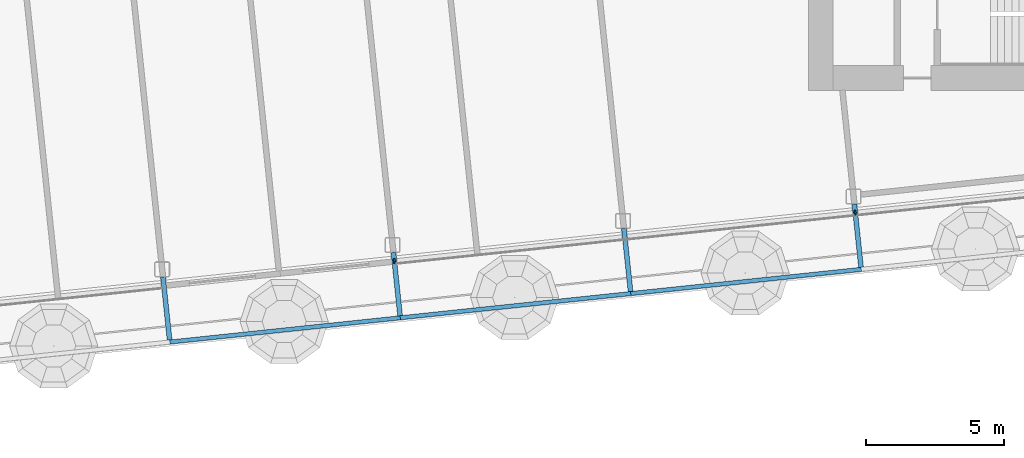
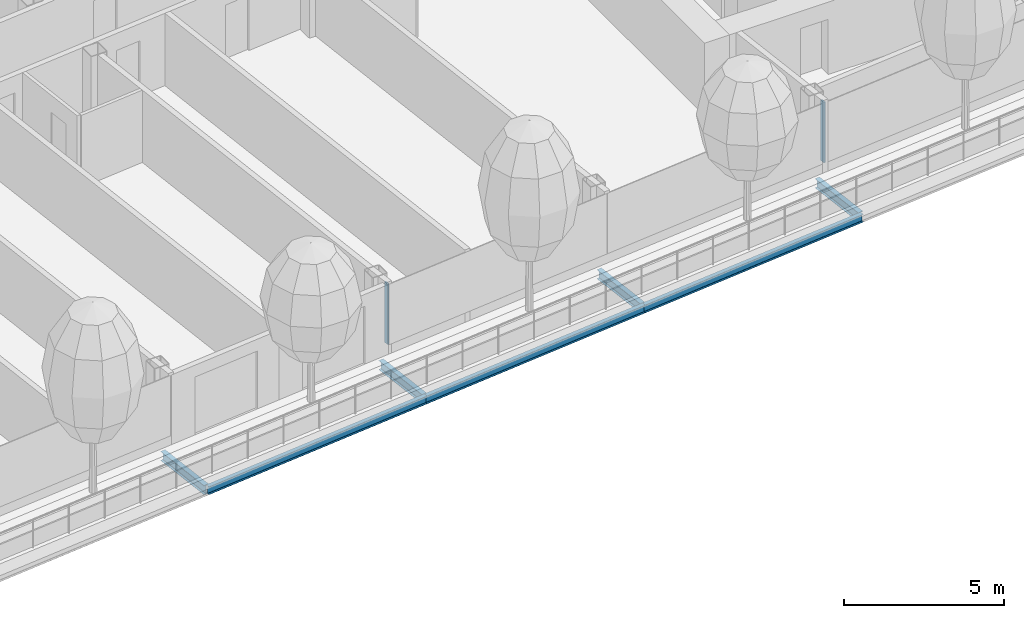
# One storey, part 5 of 29: 7 beams, 2 members, 1 element without a shape of its own.
"""IFC4 building model written with IfcOpenShell, lengths in metres."""

import ifcopenshell
import ifcopenshell.guid

model = None  # the IFC model being written
_history = None  # IfcOwnerHistory: only IFC2X3 demands one
_inside = {}  # id of a spatial element -> (the spatial element, [elements in it])
_under = {}  # id of a project, library or spatial element -> (it, [spatial elements below it])
_declared = {}  # id of a project -> (the project, [libraries it declares])
_typed = {}  # id of a type object -> (the type object, [elements of that type])
_made_of = {}  # id of a material, layer set ... -> (it, [elements and type objects made of it])


def new_model(schema):
    """Start an empty IFC model of exactly this schema.

    Asked for "IFC4X3", IfcOpenShell would pick the latest addendum, in which some entities
    have other attributes; the version numbers below select the first issue.
    IFC2X3 requires an IfcOwnerHistory on every rooted entity: one is made here for all.
    """
    global model, _history
    if schema == "IFC4X3":
        model = ifcopenshell.file(schema_version=(4, 3, 0, 0))
    else:
        model = ifcopenshell.file(schema=schema)
    _inside.clear()
    _under.clear()
    _declared.clear()
    _typed.clear()
    _made_of.clear()
    _history = None
    if model.schema == "IFC2X3":
        org = make("IfcOrganization", Name="unknown")
        user = make(
            "IfcPersonAndOrganization",
            ThePerson=make("IfcPerson", FamilyName="unknown"),
            TheOrganization=org,
        )
        app = make(
            "IfcApplication",
            ApplicationDeveloper=org,
            Version="unknown",
            ApplicationFullName="unknown",
            ApplicationIdentifier="unknown",
        )
        _history = make(
            "IfcOwnerHistory",
            OwningUser=user,
            OwningApplication=app,
            ChangeAction="ADDED",
            CreationDate=0,
        )
    return model


def make(cls, **values):
    """One entity of the class cls with the attributes given. An attribute that is None is left unset."""
    return model.create_entity(
        cls, **{name: value for name, value in values.items() if value is not None}
    )


def rooted(cls, **values):
    """An entity with a GlobalId (a new one), such as an element, a storey or a relation."""
    return make(cls, GlobalId=ifcopenshell.guid.new(), OwnerHistory=_history, **values)


def si_unit(unit_type, name, prefix=None):
    """IfcSIUnit, for example si_unit("LENGTHUNIT", "METRE", prefix="MILLI")."""
    return make("IfcSIUnit", UnitType=unit_type, Prefix=prefix, Name=name)


def assignment(units):
    """IfcUnitAssignment: the units of a project."""
    return None if units is None else make("IfcUnitAssignment", Units=units)


def point(xyz):
    """IfcCartesianPoint."""
    return None if xyz is None else make("IfcCartesianPoint", Coordinates=xyz)


def direction(xyz):
    """IfcDirection."""
    return None if xyz is None else make("IfcDirection", DirectionRatios=xyz)


def frame(location, z_axis=None, x_axis=None):
    """IfcAxis2Placement3D, a coordinate frame: its origin and axes. An axis left out is left unset."""
    return make(
        "IfcAxis2Placement3D",
        Location=point(location),
        Axis=direction(z_axis),
        RefDirection=direction(x_axis),
    )


def frame_2d(location, x_axis=None):
    """IfcAxis2Placement2D, a coordinate frame in the plane: its origin and x axis."""
    return make(
        "IfcAxis2Placement2D", Location=point(location), RefDirection=direction(x_axis)
    )


def origin():
    """The frame at (0, 0, 0) with its axes left unset."""
    return frame((0.0, 0.0, 0.0))


def origin_2d():
    """The frame at (0, 0) in the plane with its x axis left unset."""
    return frame_2d((0.0, 0.0))


def place(relative_to, where):
    """IfcLocalPlacement: puts the frame where relative to a parent placement (None: the world)."""
    return make(
        "IfcLocalPlacement", PlacementRelTo=relative_to, RelativePlacement=where
    )


def context(
    kind, dimensions, precision=None, world=None, true_north=None, identifier=None
):
    """IfcGeometricRepresentationContext, for example the 3D "Model" context."""
    return make(
        "IfcGeometricRepresentationContext",
        ContextIdentifier=identifier,
        ContextType=kind,
        CoordinateSpaceDimension=dimensions,
        Precision=precision,
        WorldCoordinateSystem=world,
        TrueNorth=true_north,
    )


def subcontext(parent, identifier, kind, view, scale=None):
    """IfcGeometricRepresentationSubContext, for example "Body" below "Model"."""
    return make(
        "IfcGeometricRepresentationSubContext",
        ContextIdentifier=identifier,
        ContextType=kind,
        ParentContext=parent,
        TargetScale=scale,
        TargetView=view,
    )


def project(units=None, contexts=None):
    """IfcProject with its units and contexts."""
    return rooted(
        "IfcProject",
        Name="project",
        RepresentationContexts=contexts,
        UnitsInContext=assignment(units),
    )


def spatial(cls, under=None, at=None, **own):
    """A site, building, storey or space (cls), placed at a placement, below another one or the project."""
    s = rooted(cls, ObjectPlacement=at, **own)
    if under is not None:
        _under.setdefault(under.id(), (under, []))[1].append(s)
    return s


def profile(cls, at=None, kind="AREA", **sizes):
    """A parametric profile (cls). Its sizes go by their IFC names, for example OverallWidth=200.0."""
    return make(cls, ProfileType=kind, Position=at, **sizes)


def rectangle(**sizes):
    """IfcRectangleProfileDef."""
    return profile("IfcRectangleProfileDef", **sizes)


def i_section(**sizes):
    """IfcIShapeProfileDef."""
    return profile("IfcIShapeProfileDef", **sizes)


def extrude(swept, where, along, depth):
    """IfcExtrudedAreaSolid: the profile swept, set in the frame where, extruded along a direction by depth."""
    return make(
        "IfcExtrudedAreaSolid",
        SweptArea=swept,
        Position=where,
        ExtrudedDirection=direction(along),
        Depth=depth,
    )


def shape(context_of_items, identifier, shape_type, items):
    """IfcShapeRepresentation: the items that make up one representation, for example the "Body"."""
    return make(
        "IfcShapeRepresentation",
        ContextOfItems=context_of_items,
        RepresentationIdentifier=identifier,
        RepresentationType=shape_type,
        Items=items,
    )


def material(Name=None, Category=None):
    """IfcMaterial."""
    return make("IfcMaterial", Name=Name, Category=Category)


def layer(
    of_material, thickness, ventilated=None, Name=None, Category=None, Priority=None
):
    """IfcMaterialLayer: one layer of a wall or slab, of a material (None: an air gap)."""
    return make(
        "IfcMaterialLayer",
        Material=of_material,
        LayerThickness=thickness,
        IsVentilated=ventilated,
        Name=Name,
        Category=Category,
        Priority=Priority,
    )


def layer_set(layers, Name=None):
    """IfcMaterialLayerSet."""
    return make("IfcMaterialLayerSet", MaterialLayers=layers, LayerSetName=Name)


def material_profile(
    of_material, cross_section, Name=None, Category=None, Priority=None
):
    """IfcMaterialProfile: a cross section and its material."""
    return make(
        "IfcMaterialProfile",
        Name=Name,
        Material=of_material,
        Profile=cross_section,
        Priority=Priority,
        Category=Category,
    )


def profile_set(profiles, Name=None, composite=None):
    """IfcMaterialProfileSet."""
    return make(
        "IfcMaterialProfileSet",
        Name=Name,
        MaterialProfiles=profiles,
        CompositeProfile=composite,
    )


def made_of(thing, what):
    """Note that an element or type object is made of a material, layer set ...; save() writes the relation."""
    if what is not None:
        _made_of.setdefault(what.id(), (what, []))[1].append(thing)
    return thing


def type_object(cls, material=None, **own):
    """A type object (cls), such as IfcWallType, which elements share."""
    return made_of(rooted(cls, **own), material)


def element(
    cls,
    number,
    at=None,
    inside=None,
    cuts=None,
    type_object=None,
    material=None,
    context=None,
    identifier="Body",
    shape_type=None,
    held_by="IfcProductDefinitionShape",
    body=None,
    shapes=None,
    **own,
):
    """One element of the class cls, such as IfcWall. Its Tag is "e" and its number.

    at: its placement. inside: the storey or other place that contains it. cuts: it is an
    opening in that element (IfcRelVoidsElement). A single representation is given by context,
    identifier, shape_type and body (its items); several are given by shapes. held_by: the class
    of the entity that holds the representations. save() writes the other relations.
    """
    e = rooted(cls, Tag="e%d" % number, ObjectPlacement=at, **own)
    if body is not None:
        shapes = [shape(context, identifier, shape_type, body)]
    if shapes is not None:
        e.Representation = make(held_by, Representations=shapes)
    if inside is not None:
        _inside.setdefault(inside.id(), (inside, []))[1].append(e)
    if cuts is not None:
        rooted(
            "IfcRelVoidsElement", RelatingBuildingElement=cuts, RelatedOpeningElement=e
        )
    if type_object is not None:
        _typed.setdefault(type_object.id(), (type_object, []))[1].append(e)
    return made_of(e, material)


def aggregate(whole, parts):
    """IfcRelAggregates: a whole, such as a stair, and the parts it consists of."""
    return rooted("IfcRelAggregates", RelatingObject=whole, RelatedObjects=parts)


def save(model, path):
    """Write the relations noted so far, then the file.

    IfcRelAggregates (storeys below a building ...), IfcRelContainedInSpatialStructure (elements
    in a storey), IfcRelDefinesByType, IfcRelAssociatesMaterial and IfcRelDeclares: one each for
    every whole, place, type object, material and project.
    """
    for whole, parts in _under.values():
        aggregate(whole, parts)
    for where, things in _inside.values():
        rooted(
            "IfcRelContainedInSpatialStructure",
            RelatedElements=things,
            RelatingStructure=where,
        )
    for kind, things in _typed.values():
        rooted("IfcRelDefinesByType", RelatedObjects=things, RelatingType=kind)
    for what, things in _made_of.values():
        rooted("IfcRelAssociatesMaterial", RelatedObjects=things, RelatingMaterial=what)
    for by, libraries in _declared.values():
        rooted("IfcRelDeclares", RelatingContext=by, RelatedDefinitions=libraries)
    model.write(path)


model = new_model("IFC4")

# Units and contexts
model_context = context("Model", 3, precision=1e-05, world=origin(), true_north=direction((0.0, 1.0)))
body_context = subcontext(model_context, "Body", "Model", "MODEL_VIEW")
ifc_project = project(units=[si_unit("LENGTHUNIT", "METRE"), si_unit("AREAUNIT", "SQUARE_METRE"), si_unit("VOLUMEUNIT", "CUBIC_METRE"), si_unit("PLANEANGLEUNIT", "RADIAN"), si_unit("MASSUNIT", "GRAM", prefix="KILO")], contexts=[model_context])

# Site, building, storey
site_placement = place(None, origin())
site = spatial("IfcSite", under=ifc_project, at=site_placement, CompositionType="ELEMENT")
building_placement = place(site_placement, origin())
building = spatial("IfcBuilding", under=site, at=building_placement, Name="Hakoniwa Tower and Hamabe Station Hall", CompositionType="ELEMENT")
storey_placement = place(building_placement, frame((0.0, 0.0, 258.199951171875)))
storey = spatial("IfcBuildingStorey", under=building, at=storey_placement, Name="L73", CompositionType="ELEMENT", Elevation=258.199951171875)

# Beams
ifc_material_1 = material(Name="Steel SN490B", Category="steel")
ifc_material_profile_1 = material_profile(ifc_material_1, i_section(OverallWidth=0.175048828125, OverallDepth=0.35009765625, WebThickness=0.007080078125, FlangeThickness=0.010986328125, FilletRadius=0.013916015625, at=origin_2d()), Name="H-350x175x7x11")
ifc_profile_set_1 = profile_set([ifc_material_profile_1], Name="Steel SN490B")
beam_type_1 = type_object("IfcBeamType", Name="BALCONY BRACKET H-350x175x7x11", PredefinedType="BEAM", material=ifc_profile_set_1)
for number, where, z_axis, x_axis, name in (
    (1, (-6.590087890625, -15.16064453125, -0.625), (0.104557694553, -0.994518822602, 0.0), (0.994518822602, 0.104557694553, 0.0), "Balcony bracket B5-6-A5"),
    (2, (1.763916015625, -14.28271484375, -0.625), (0.104557694553, -0.994518822602, 0.0), (0.994518822602, 0.104557694553, 0.0), "Balcony bracket B5-7-A5"),
    (3, (10.117919921875, -13.404541015625, -0.625), (0.104557694553, -0.994518822602, 0.0), (0.994518822602, 0.104557694553, 0.0), "Balcony bracket B5-8-A5"),
    (4, (18.471923828125, -12.526611328125, -0.625), (0.104557694553, -0.994518822602, 0.0), (0.994518822602, 0.104557694553, 0.0), "Balcony bracket B5-9-A5"),
):
    element("IfcBeam", number, at=place(storey_placement, frame(where, z_axis=z_axis, x_axis=x_axis)), inside=storey, type_object=beam_type_1, Name=name, PredefinedType="BEAM", context=body_context, shape_type="SweptSolid", body=[
        extrude(i_section(OverallWidth=0.175048828125, OverallDepth=0.35009765625, WebThickness=0.007080078125, FlangeThickness=0.010986328125, FilletRadius=0.013916015625, at=origin_2d()), origin(), (0.0, 0.0, 1.0), 2.300048828125),
    ])
ifc_material_2 = material(Name="Steel SN490B", Category="steel")
ifc_material_profile_2 = material_profile(ifc_material_2, i_section(OverallWidth=0.14990234375, OverallDepth=0.300048828125, WebThickness=0.006591796875, FlangeThickness=0.009033203125, FilletRadius=0.012939453125, at=origin_2d()), Name="H-300x150x6.5x9")
ifc_profile_set_2 = profile_set([ifc_material_profile_2], Name="Steel SN490B")
beam_type_2 = type_object("IfcBeamType", Name="BALCONY EDGE BEAM H-300x150x6.5x9", PredefinedType="BEAM", material=ifc_profile_set_2)
beam_1_placement = place(storey_placement, frame((-6.341796875, -17.522705078125, -0.599853515625), z_axis=(0.994520253788, 0.104544080685, 0.0), x_axis=(-0.104544080685, 0.994520253788, 0.0)))
element("IfcBeam", 5, at=beam_1_placement, inside=storey, type_object=beam_type_2, Name="Balcony edge beam B5-6-A5-B5-7-A5", PredefinedType="BEAM", context=body_context, shape_type="SweptSolid", body=[
    extrude(i_section(OverallWidth=0.14990234375, OverallDepth=0.300048828125, WebThickness=0.006591796875, FlangeThickness=0.009033203125, FilletRadius=0.012939453125, at=origin_2d()), origin(), (0.0, 0.0, 1.0), 8.400146484375),
])
beam_2_placement = place(storey_placement, frame((2.01220703125, -16.64453125, -0.599853515625), z_axis=(0.994523275226, 0.104515333968, 0.0), x_axis=(-0.104515333968, 0.994523275226, 0.0)))
element("IfcBeam", 6, at=beam_2_placement, inside=storey, type_object=beam_type_2, Name="Balcony edge beam B5-7-A5-B5-8-A5", PredefinedType="BEAM", context=body_context, shape_type="SweptSolid", body=[
    extrude(i_section(OverallWidth=0.14990234375, OverallDepth=0.300048828125, WebThickness=0.006591796875, FlangeThickness=0.009033203125, FilletRadius=0.012939453125, at=origin_2d()), origin(), (0.0, 0.0, 1.0), 8.39990234375),
])
beam_3_placement = place(storey_placement, frame((10.3662109375, -15.7666015625, -0.599853515625), z_axis=(0.994520253788, 0.104544080685, 0.0), x_axis=(-0.104544080685, 0.994520253788, 0.0)))
element("IfcBeam", 7, at=beam_3_placement, inside=storey, type_object=beam_type_2, Name="Balcony edge beam B5-8-A5-B5-9-A5", PredefinedType="BEAM", context=body_context, shape_type="SweptSolid", body=[
    extrude(i_section(OverallWidth=0.14990234375, OverallDepth=0.300048828125, WebThickness=0.006591796875, FlangeThickness=0.009033203125, FilletRadius=0.012939453125, at=origin_2d()), origin(), (0.0, 0.0, 1.0), 8.400146484375),
])

# Curtain wall, members
ifc_material_3 = material(Name="Dark low-e laminated glass", Category="glass")
ifc_layer = layer(ifc_material_3, 0.199951171875)
ifc_layer_set = layer_set([ifc_layer], Name="CW-1 UNITISED GUEST")
curtain_wall_type = type_object("IfcCurtainWallType", Name="CW-1 UNITISED GUEST", PredefinedType="NOTDEFINED", material=ifc_layer_set)
curtain_wall_placement = place(storey_placement, origin())
curtain_wall = element("IfcCurtainWall", 8, at=curtain_wall_placement, inside=storey, type_object=curtain_wall_type, Name="CW-1 curtain wall", PredefinedType="NOTDEFINED")
ifc_material_4 = material(Name="Aluminium 6063-T5 black anodised", Category="aluminium")
ifc_material_profile_3 = material_profile(ifc_material_4, rectangle(XDim=0.06005859375, YDim=0.179931640625, at=origin_2d()), Name="CW-1 MULLION 60X180")
ifc_profile_set_3 = profile_set([ifc_material_profile_3], Name="Aluminium 6063-T5 black anodised")
member_type = type_object("IfcMemberType", Name="CW-1 MULLION 60X180", PredefinedType="MULLION", material=ifc_profile_set_3)
member_1_placement = place(storey_placement, frame((1.7958984375, -14.587890625, 0.35009765625), z_axis=(0.0, 0.0, 1.0), x_axis=(0.994521895272, 0.104528464188, 0.0)))
member_1 = element("IfcMember", 9, at=member_1_placement, type_object=member_type, Name="CW-1 mullion", PredefinedType="MULLION", context=body_context, shape_type="SweptSolid", body=[
    extrude(rectangle(XDim=0.06005859375, YDim=0.179931640625, at=origin_2d()), origin(), (0.0, 0.0, 1.0), 2.300048828125),
])
member_2_placement = place(storey_placement, frame((18.50390625, -12.831787109375, 0.35009765625), z_axis=(0.0, 0.0, 1.0), x_axis=(0.994521895272, 0.104528464188, 0.0)))
member_2 = element("IfcMember", 10, at=member_2_placement, type_object=member_type, Name="CW-1 mullion", PredefinedType="MULLION", context=body_context, shape_type="SweptSolid", body=[
    extrude(rectangle(XDim=0.06005859375, YDim=0.179931640625, at=origin_2d()), origin(), (0.0, 0.0, 1.0), 2.300048828125),
])
aggregate(curtain_wall, [member_1, member_2])

save(model, "model.ifc")
